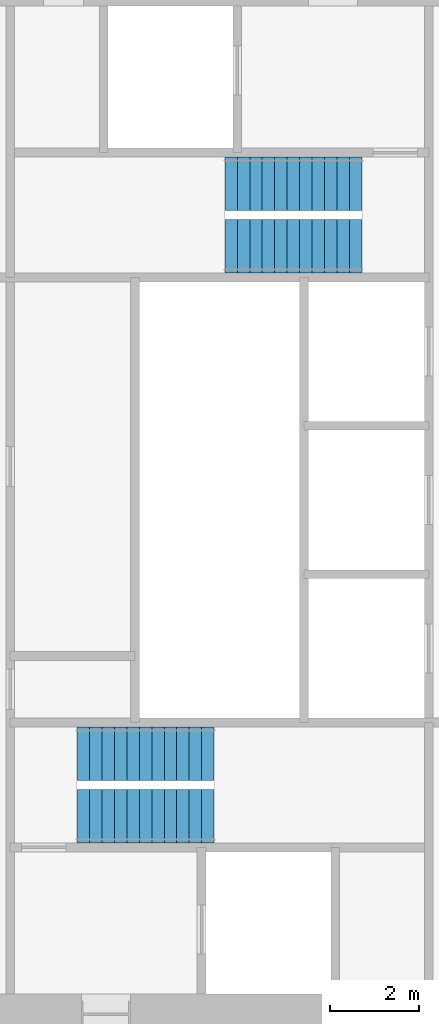
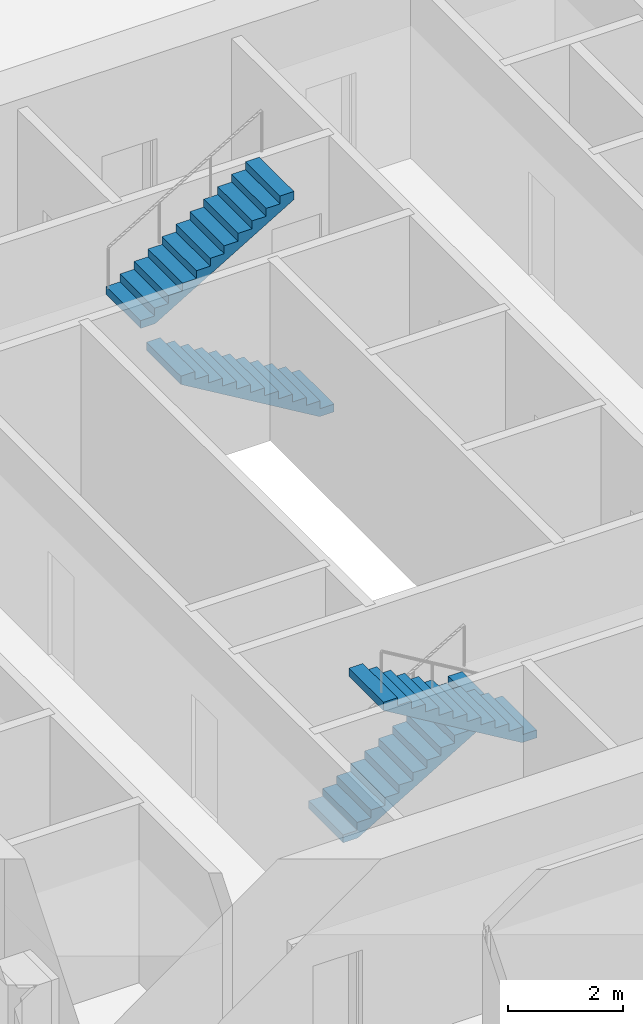
# One storey, part 12 of 14: 4 stair flights, 2 elements without a shape of their own.
"""IFC4 building model written with IfcOpenShell, lengths in metres."""

import ifcopenshell
import ifcopenshell.guid

model = None  # the IFC model being written
_history = None  # IfcOwnerHistory: only IFC2X3 demands one
_inside = {}  # id of a spatial element -> (the spatial element, [elements in it])
_under = {}  # id of a project, library or spatial element -> (it, [spatial elements below it])
_declared = {}  # id of a project -> (the project, [libraries it declares])
_typed = {}  # id of a type object -> (the type object, [elements of that type])
_made_of = {}  # id of a material, layer set ... -> (it, [elements and type objects made of it])


def new_model(schema):
    """Start an empty IFC model of exactly this schema.

    Asked for "IFC4X3", IfcOpenShell would pick the latest addendum, in which some entities
    have other attributes; the version numbers below select the first issue.
    IFC2X3 requires an IfcOwnerHistory on every rooted entity: one is made here for all.
    """
    global model, _history
    if schema == "IFC4X3":
        model = ifcopenshell.file(schema_version=(4, 3, 0, 0))
    else:
        model = ifcopenshell.file(schema=schema)
    _inside.clear()
    _under.clear()
    _declared.clear()
    _typed.clear()
    _made_of.clear()
    _history = None
    if model.schema == "IFC2X3":
        org = make("IfcOrganization", Name="unknown")
        user = make(
            "IfcPersonAndOrganization",
            ThePerson=make("IfcPerson", FamilyName="unknown"),
            TheOrganization=org,
        )
        app = make(
            "IfcApplication",
            ApplicationDeveloper=org,
            Version="unknown",
            ApplicationFullName="unknown",
            ApplicationIdentifier="unknown",
        )
        _history = make(
            "IfcOwnerHistory",
            OwningUser=user,
            OwningApplication=app,
            ChangeAction="ADDED",
            CreationDate=0,
        )
    return model


def make(cls, **values):
    """One entity of the class cls with the attributes given. An attribute that is None is left unset."""
    return model.create_entity(
        cls, **{name: value for name, value in values.items() if value is not None}
    )


def rooted(cls, **values):
    """An entity with a GlobalId (a new one), such as an element, a storey or a relation."""
    return make(cls, GlobalId=ifcopenshell.guid.new(), OwnerHistory=_history, **values)


def si_unit(unit_type, name, prefix=None):
    """IfcSIUnit, for example si_unit("LENGTHUNIT", "METRE", prefix="MILLI")."""
    return make("IfcSIUnit", UnitType=unit_type, Prefix=prefix, Name=name)


def assignment(units):
    """IfcUnitAssignment: the units of a project."""
    return None if units is None else make("IfcUnitAssignment", Units=units)


def point(xyz):
    """IfcCartesianPoint."""
    return None if xyz is None else make("IfcCartesianPoint", Coordinates=xyz)


def direction(xyz):
    """IfcDirection."""
    return None if xyz is None else make("IfcDirection", DirectionRatios=xyz)


def frame(location, z_axis=None, x_axis=None):
    """IfcAxis2Placement3D, a coordinate frame: its origin and axes. An axis left out is left unset."""
    return make(
        "IfcAxis2Placement3D",
        Location=point(location),
        Axis=direction(z_axis),
        RefDirection=direction(x_axis),
    )


def origin():
    """The frame at (0, 0, 0) with its axes left unset."""
    return frame((0.0, 0.0, 0.0))


def place(relative_to, where):
    """IfcLocalPlacement: puts the frame where relative to a parent placement (None: the world)."""
    return make(
        "IfcLocalPlacement", PlacementRelTo=relative_to, RelativePlacement=where
    )


def context(
    kind, dimensions, precision=None, world=None, true_north=None, identifier=None
):
    """IfcGeometricRepresentationContext, for example the 3D "Model" context."""
    return make(
        "IfcGeometricRepresentationContext",
        ContextIdentifier=identifier,
        ContextType=kind,
        CoordinateSpaceDimension=dimensions,
        Precision=precision,
        WorldCoordinateSystem=world,
        TrueNorth=true_north,
    )


def subcontext(parent, identifier, kind, view, scale=None):
    """IfcGeometricRepresentationSubContext, for example "Body" below "Model"."""
    return make(
        "IfcGeometricRepresentationSubContext",
        ContextIdentifier=identifier,
        ContextType=kind,
        ParentContext=parent,
        TargetScale=scale,
        TargetView=view,
    )


def project(units=None, contexts=None):
    """IfcProject with its units and contexts."""
    return rooted(
        "IfcProject",
        Name="project",
        RepresentationContexts=contexts,
        UnitsInContext=assignment(units),
    )


def spatial(cls, under=None, at=None, **own):
    """A site, building, storey or space (cls), placed at a placement, below another one or the project."""
    s = rooted(cls, ObjectPlacement=at, **own)
    if under is not None:
        _under.setdefault(under.id(), (under, []))[1].append(s)
    return s


def polyline(points):
    """IfcPolyline through the points."""
    return make("IfcPolyline", Points=[point(p) for p in points])


def outline(outer, holes=None, kind="AREA"):
    """IfcArbitraryClosedProfileDef: a profile drawn as a closed curve; with holes, ...WithVoids."""
    if holes is None:
        return make("IfcArbitraryClosedProfileDef", ProfileType=kind, OuterCurve=outer)
    return make(
        "IfcArbitraryProfileDefWithVoids",
        ProfileType=kind,
        OuterCurve=outer,
        InnerCurves=holes,
    )


def extrude(swept, where, along, depth):
    """IfcExtrudedAreaSolid: the profile swept, set in the frame where, extruded along a direction by depth."""
    return make(
        "IfcExtrudedAreaSolid",
        SweptArea=swept,
        Position=where,
        ExtrudedDirection=direction(along),
        Depth=depth,
    )


def shape(context_of_items, identifier, shape_type, items):
    """IfcShapeRepresentation: the items that make up one representation, for example the "Body"."""
    return make(
        "IfcShapeRepresentation",
        ContextOfItems=context_of_items,
        RepresentationIdentifier=identifier,
        RepresentationType=shape_type,
        Items=items,
    )


def material(Name=None, Category=None):
    """IfcMaterial."""
    return make("IfcMaterial", Name=Name, Category=Category)


def made_of(thing, what):
    """Note that an element or type object is made of a material, layer set ...; save() writes the relation."""
    if what is not None:
        _made_of.setdefault(what.id(), (what, []))[1].append(thing)
    return thing


def type_object(cls, material=None, **own):
    """A type object (cls), such as IfcWallType, which elements share."""
    return made_of(rooted(cls, **own), material)


def element(
    cls,
    number,
    at=None,
    inside=None,
    cuts=None,
    type_object=None,
    material=None,
    context=None,
    identifier="Body",
    shape_type=None,
    held_by="IfcProductDefinitionShape",
    body=None,
    shapes=None,
    **own,
):
    """One element of the class cls, such as IfcWall. Its Tag is "e" and its number.

    at: its placement. inside: the storey or other place that contains it. cuts: it is an
    opening in that element (IfcRelVoidsElement). A single representation is given by context,
    identifier, shape_type and body (its items); several are given by shapes. held_by: the class
    of the entity that holds the representations. save() writes the other relations.
    """
    e = rooted(cls, Tag="e%d" % number, ObjectPlacement=at, **own)
    if body is not None:
        shapes = [shape(context, identifier, shape_type, body)]
    if shapes is not None:
        e.Representation = make(held_by, Representations=shapes)
    if inside is not None:
        _inside.setdefault(inside.id(), (inside, []))[1].append(e)
    if cuts is not None:
        rooted(
            "IfcRelVoidsElement", RelatingBuildingElement=cuts, RelatedOpeningElement=e
        )
    if type_object is not None:
        _typed.setdefault(type_object.id(), (type_object, []))[1].append(e)
    return made_of(e, material)


def aggregate(whole, parts):
    """IfcRelAggregates: a whole, such as a stair, and the parts it consists of."""
    return rooted("IfcRelAggregates", RelatingObject=whole, RelatedObjects=parts)


def save(model, path):
    """Write the relations noted so far, then the file.

    IfcRelAggregates (storeys below a building ...), IfcRelContainedInSpatialStructure (elements
    in a storey), IfcRelDefinesByType, IfcRelAssociatesMaterial and IfcRelDeclares: one each for
    every whole, place, type object, material and project.
    """
    for whole, parts in _under.values():
        aggregate(whole, parts)
    for where, things in _inside.values():
        rooted(
            "IfcRelContainedInSpatialStructure",
            RelatedElements=things,
            RelatingStructure=where,
        )
    for kind, things in _typed.values():
        rooted("IfcRelDefinesByType", RelatedObjects=things, RelatingType=kind)
    for what, things in _made_of.values():
        rooted("IfcRelAssociatesMaterial", RelatedObjects=things, RelatingMaterial=what)
    for by, libraries in _declared.values():
        rooted("IfcRelDeclares", RelatingContext=by, RelatedDefinitions=libraries)
    model.write(path)


model = new_model("IFC4")

# Units and contexts
model_context = context("Model", 3, precision=1e-05, world=origin(), true_north=direction((0.0, 1.0)))
body_context = subcontext(model_context, "Body", "Model", "MODEL_VIEW")
ifc_project = project(units=[si_unit("LENGTHUNIT", "METRE"), si_unit("AREAUNIT", "SQUARE_METRE"), si_unit("VOLUMEUNIT", "CUBIC_METRE"), si_unit("PLANEANGLEUNIT", "RADIAN"), si_unit("MASSUNIT", "GRAM", prefix="KILO")], contexts=[model_context])

# Site, building, storey
site_placement = place(None, origin())
site = spatial("IfcSite", under=ifc_project, at=site_placement, CompositionType="ELEMENT")
building_placement = place(site_placement, origin())
building = spatial("IfcBuilding", under=site, at=building_placement, Name="Fenwick Lantern Interchange", CompositionType="ELEMENT")
storey_placement = place(building_placement, frame((0.0, 0.0, 173.800048828125)))
storey = spatial("IfcBuildingStorey", under=building, at=storey_placement, Name="L40", CompositionType="ELEMENT", Elevation=173.800048828125)

# Stair, stair flights
ifc_material = material(Name="Precast concrete f'c 35 MPa", Category="concrete")
stair_type = type_object("IfcStairType", Name="EXIT STAIR 1200", PredefinedType="HALF_TURN_STAIR", material=ifc_material)
stair_1_placement = place(storey_placement, origin())
stair_1 = element("IfcStair", 1, at=stair_1_placement, inside=storey, type_object=stair_type, Name="Exit stair ST1", PredefinedType="HALF_TURN_STAIR")
stair_flight_type = type_object("IfcStairFlightType", Name="STAIR FLIGHT 1200", PredefinedType="STRAIGHT", material=ifc_material)
stair_flight_1_placement = place(storey_placement, frame((21.800048828125, 19.300048828125, 0.0), z_axis=(0.0, 0.0, 1.0), x_axis=(1.0, 0.0, 0.0)))
stair_flight_1 = element("IfcStairFlight", 2, at=stair_flight_1_placement, type_object=stair_flight_type, Name="ST1 flight 1", NumberOfRisers=12, NumberOfTreads=11, PredefinedType="STRAIGHT", RiserHeight=0.166666667, TreadLength=0.28, context=body_context, shape_type="SweptSolid", body=[
    extrude(outline(polyline([(0.0, 0.0), (0.0, 0.166748046875), (0.280029296875, 0.166748046875), (0.280029296875, 0.333251953125), (0.56005859375, 0.333251953125), (0.56005859375, 0.5), (0.840087890625, 0.5), (0.840087890625, 0.666748046875), (1.1201171875, 0.666748046875), (1.1201171875, 0.833251953125), (1.39990234375, 0.833251953125), (1.39990234375, 1.0), (1.679931640625, 1.0), (1.679931640625, 1.166748046875), (1.9599609375, 1.166748046875), (1.9599609375, 1.333251953125), (2.239990234375, 1.333251953125), (2.239990234375, 1.5), (2.52001953125, 1.5), (2.52001953125, 1.666748046875), (2.800048828125, 1.666748046875), (2.800048828125, 1.833251953125), (3.080078125, 1.833251953125), (3.080078125, 2.0), (3.080078125, 1.658935546875), (0.29296875, 0.0), (0.0, 0.0)])), frame((0.0, 0.60009765625, 0.0), z_axis=(0.0, -1.0, 0.0), x_axis=(1.0, 0.0, 0.0)), (0.0, 0.0, 1.0), 1.199951171875),
])
stair_flight_2_placement = place(storey_placement, frame((24.8798828125, 17.89990234375, 2.0), z_axis=(0.0, 0.0, 1.0), x_axis=(-1.0, 0.0, 0.0)))
stair_flight_2 = element("IfcStairFlight", 3, at=stair_flight_2_placement, type_object=stair_flight_type, Name="ST1 flight 2", NumberOfRisers=12, NumberOfTreads=11, PredefinedType="STRAIGHT", RiserHeight=0.166666667, TreadLength=0.28, context=body_context, shape_type="SweptSolid", body=[
    extrude(outline(polyline([(0.0, 0.0), (0.0, 0.166748046875), (0.280029296875, 0.166748046875), (0.280029296875, 0.333251953125), (0.56005859375, 0.333251953125), (0.56005859375, 0.5), (0.840087890625, 0.5), (0.840087890625, 0.666748046875), (1.1201171875, 0.666748046875), (1.1201171875, 0.833251953125), (1.39990234375, 0.833251953125), (1.39990234375, 1.0), (1.679931640625, 1.0), (1.679931640625, 1.166748046875), (1.9599609375, 1.166748046875), (1.9599609375, 1.333251953125), (2.239990234375, 1.333251953125), (2.239990234375, 1.5), (2.52001953125, 1.5), (2.52001953125, 1.666748046875), (2.800048828125, 1.666748046875), (2.800048828125, 1.833251953125), (3.080078125, 1.833251953125), (3.080078125, 2.0), (3.080078125, 1.658935546875), (0.29296875, 0.0), (0.0, 0.0)])), frame((0.0, 0.60009765625, 0.0), z_axis=(0.0, -1.0, 0.0), x_axis=(1.0, 0.0, 0.0)), (0.0, 0.0, 1.0), 1.199951171875),
])
aggregate(stair_1, [stair_flight_1, stair_flight_2])

stair_2_placement = place(storey_placement, origin())
stair_2 = element("IfcStair", 4, at=stair_2_placement, inside=storey, type_object=stair_type, Name="Exit stair ST2", PredefinedType="HALF_TURN_STAIR")
stair_flight_3_placement = place(storey_placement, frame((28.199951171875, 30.699951171875, 0.0), z_axis=(0.0, 0.0, 1.0), x_axis=(-1.0, 0.0, 0.0)))
stair_flight_3 = element("IfcStairFlight", 5, at=stair_flight_3_placement, type_object=stair_flight_type, Name="ST2 flight 1", NumberOfRisers=12, NumberOfTreads=11, PredefinedType="STRAIGHT", RiserHeight=0.166666667, TreadLength=0.28, context=body_context, shape_type="SweptSolid", body=[
    extrude(outline(polyline([(0.0, 0.0), (0.0, 0.166748046875), (0.280029296875, 0.166748046875), (0.280029296875, 0.333251953125), (0.56005859375, 0.333251953125), (0.56005859375, 0.5), (0.840087890625, 0.5), (0.840087890625, 0.666748046875), (1.1201171875, 0.666748046875), (1.1201171875, 0.833251953125), (1.39990234375, 0.833251953125), (1.39990234375, 1.0), (1.679931640625, 1.0), (1.679931640625, 1.166748046875), (1.9599609375, 1.166748046875), (1.9599609375, 1.333251953125), (2.239990234375, 1.333251953125), (2.239990234375, 1.5), (2.52001953125, 1.5), (2.52001953125, 1.666748046875), (2.800048828125, 1.666748046875), (2.800048828125, 1.833251953125), (3.080078125, 1.833251953125), (3.080078125, 2.0), (3.080078125, 1.658935546875), (0.29296875, 0.0), (0.0, 0.0)])), frame((0.0, 0.60009765625, 0.0), z_axis=(0.0, -1.0, 0.0), x_axis=(1.0, 0.0, 0.0)), (0.0, 0.0, 1.0), 1.199951171875),
])
stair_flight_4_placement = place(storey_placement, frame((25.1201171875, 32.10009765625, 2.0), z_axis=(0.0, 0.0, 1.0), x_axis=(1.0, 0.0, 0.0)))
stair_flight_4 = element("IfcStairFlight", 6, at=stair_flight_4_placement, type_object=stair_flight_type, Name="ST2 flight 2", NumberOfRisers=12, NumberOfTreads=11, PredefinedType="STRAIGHT", RiserHeight=0.166666667, TreadLength=0.28, context=body_context, shape_type="SweptSolid", body=[
    extrude(outline(polyline([(0.0, 0.0), (0.0, 0.166748046875), (0.280029296875, 0.166748046875), (0.280029296875, 0.333251953125), (0.56005859375, 0.333251953125), (0.56005859375, 0.5), (0.840087890625, 0.5), (0.840087890625, 0.666748046875), (1.1201171875, 0.666748046875), (1.1201171875, 0.833251953125), (1.39990234375, 0.833251953125), (1.39990234375, 1.0), (1.679931640625, 1.0), (1.679931640625, 1.166748046875), (1.9599609375, 1.166748046875), (1.9599609375, 1.333251953125), (2.239990234375, 1.333251953125), (2.239990234375, 1.5), (2.52001953125, 1.5), (2.52001953125, 1.666748046875), (2.800048828125, 1.666748046875), (2.800048828125, 1.833251953125), (3.080078125, 1.833251953125), (3.080078125, 2.0), (3.080078125, 1.658935546875), (0.29296875, 0.0), (0.0, 0.0)])), frame((0.0, 0.60009765625, 0.0), z_axis=(0.0, -1.0, 0.0), x_axis=(1.0, 0.0, 0.0)), (0.0, 0.0, 1.0), 1.199951171875),
])
aggregate(stair_2, [stair_flight_3, stair_flight_4])

save(model, "model.ifc")
